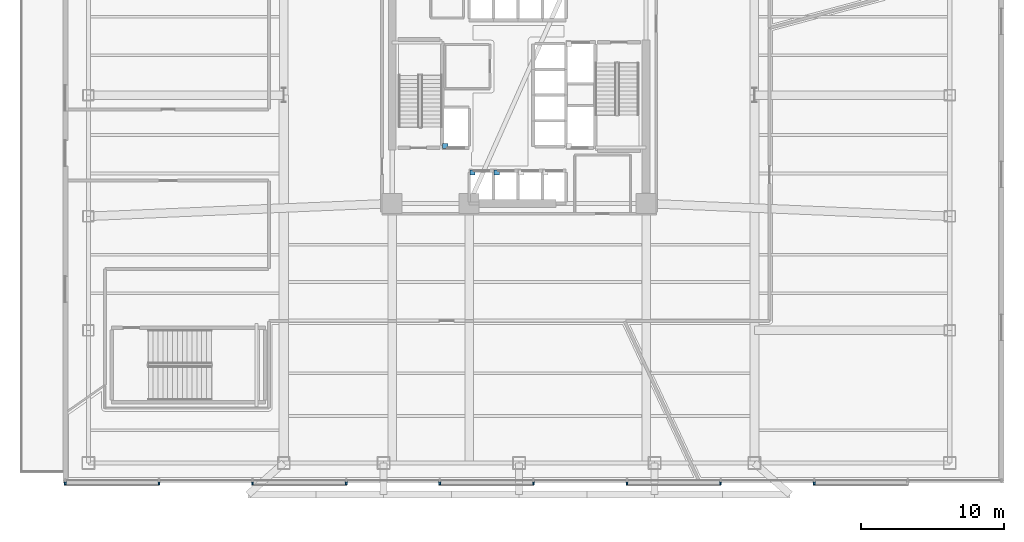
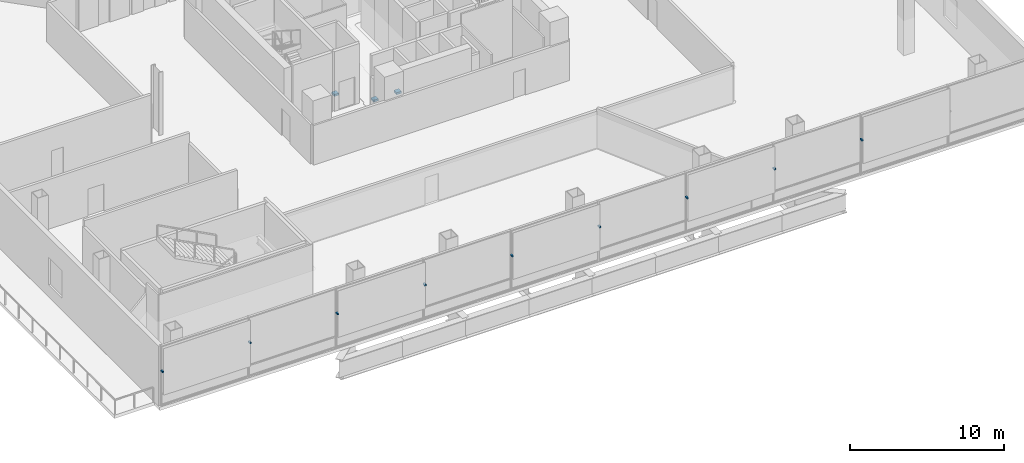
# One storey, part 14 of 20: 12 discrete accessories.
"""IFC4 building model written with IfcOpenShell, lengths in metres."""

from ifc_helpers import new_model, si_unit, direction, frame, origin, origin_2d, place, context, subcontext, project, spatial, rectangle, extrude, material, type_object, element, save


model = new_model("IFC4")

# Units and contexts
model_context = context("Model", 3, precision=1e-05, world=origin(), true_north=direction((0.0, 1.0)))
body_context = subcontext(model_context, "Body", "Model", "MODEL_VIEW")
ifc_project = project(units=[si_unit("LENGTHUNIT", "METRE"), si_unit("AREAUNIT", "SQUARE_METRE"), si_unit("VOLUMEUNIT", "CUBIC_METRE"), si_unit("PLANEANGLEUNIT", "RADIAN"), si_unit("MASSUNIT", "GRAM", prefix="KILO")], contexts=[model_context])

# Site, building, storey
site_placement = place(None, origin())
site = spatial("IfcSite", under=ifc_project, at=site_placement, CompositionType="ELEMENT")
building_placement = place(site_placement, origin())
building = spatial("IfcBuilding", under=site, at=building_placement, Name="Tharavind Bronze Gate", CompositionType="ELEMENT")
storey_placement = place(building_placement, frame((0.0, 0.0, 16.5)))
storey = spatial("IfcBuildingStorey", under=building, at=storey_placement, Name="L03", CompositionType="ELEMENT", Elevation=16.5)

# Discrete accessories
ifc_material_1 = material(Name="Galvanised Steel S355", Category="steel")
discrete_accessory_type_1 = type_object("IfcDiscreteAccessoryType", Name="LIFT GUIDE RAIL BRACKET", PredefinedType="BRACKET", material=ifc_material_1)
for number, where, z_axis, x_axis, name in (
    (1, (-3.280029296875, -5.419921875, 1.1201171875), (0.0, 0.0, 1.0), (1.0, 0.0, 0.0), "Lift PL1 guide rail bracket at L03"),
    (2, (-1.5673828125, -5.419921875, 1.1201171875), (0.0, 0.0, 1.0), (1.0, 0.0, 0.0), "Lift PL2 guide rail bracket at L03"),
    (3, (-5.179931640625, -3.580078125, 1.1201171875), (0.0, 0.0, 1.0), (1.0, 0.0, 0.0), "Lift FFL1 guide rail bracket at L03"),
):
    element("IfcDiscreteAccessory", number, at=place(storey_placement, frame(where, z_axis=z_axis, x_axis=x_axis)), inside=storey, type_object=discrete_accessory_type_1, Name=name, PredefinedType="BRACKET", context=body_context, shape_type="SweptSolid", body=[
        extrude(rectangle(XDim=0.360107421875, YDim=0.360107421875, at=origin_2d()), origin(), (0.0, 0.0, 1.0), 0.159912109375),
    ])
ifc_material_2 = material(Name="Stainless Steel 316", Category="steel")
discrete_accessory_type_2 = type_object("IfcDiscreteAccessoryType", Name="SOLAR SCREEN STANDOFF BRACKET", PredefinedType="BRACKET", material=ifc_material_2)
for number, where, z_axis, x_axis, name in (
    (4, (-31.820068359375, -27.219970703125, 2.760009765625), (0.0, 0.0, 1.0), (1.0, 0.0, 0.0), "CW-L03-S1 solar screen bracket 1.1"),
    (5, (-25.256103515625, -27.219970703125, 2.760009765625), (0.0, 0.0, 1.0), (1.0, 0.0, 0.0), "CW-L03-S1 solar screen bracket 1.2"),
    (6, (-18.69189453125, -27.219970703125, 2.760009765625), (0.0, 0.0, 1.0), (1.0, 0.0, 0.0), "CW-L03-S1 solar screen bracket 3.1"),
    (7, (-12.1279296875, -27.219970703125, 2.760009765625), (0.0, 0.0, 1.0), (1.0, 0.0, 0.0), "CW-L03-S1 solar screen bracket 3.2"),
    (8, (-5.56396484375, -27.219970703125, 2.760009765625), (0.0, 0.0, 1.0), (1.0, 0.0, 0.0), "CW-L03-S1 solar screen bracket 5.1"),
    (9, (1.0, -27.219970703125, 2.760009765625), (0.0, 0.0, 1.0), (1.0, 0.0, 0.0), "CW-L03-S1 solar screen bracket 5.2"),
    (10, (7.56396484375, -27.219970703125, 2.760009765625), (0.0, 0.0, 1.0), (1.0, 0.0, 0.0), "CW-L03-S1 solar screen bracket 7.1"),
    (11, (14.1279296875, -27.219970703125, 2.760009765625), (0.0, 0.0, 1.0), (1.0, 0.0, 0.0), "CW-L03-S1 solar screen bracket 7.2"),
    (12, (20.69189453125, -27.219970703125, 2.760009765625), (0.0, 0.0, 1.0), (1.0, 0.0, 0.0), "CW-L03-S1 solar screen bracket 9.1"),
):
    element("IfcDiscreteAccessory", number, at=place(storey_placement, frame(where, z_axis=z_axis, x_axis=x_axis)), inside=storey, type_object=discrete_accessory_type_2, Name=name, PredefinedType="BRACKET", context=body_context, shape_type="SweptSolid", body=[
        extrude(rectangle(XDim=0.1201171875, YDim=0.239990234375, at=origin_2d()), origin(), (0.0, 0.0, 1.0), 0.1201171875),
    ])

save(model, "model.ifc")
